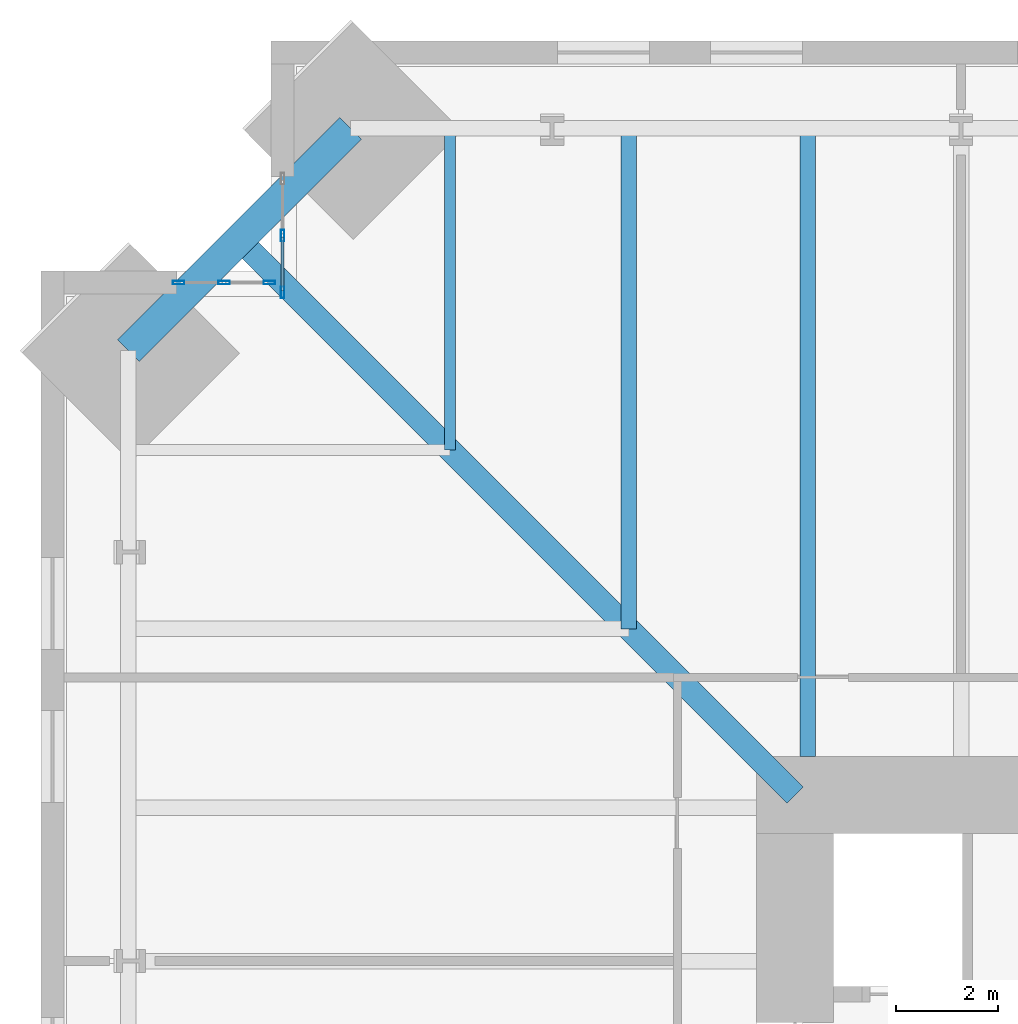
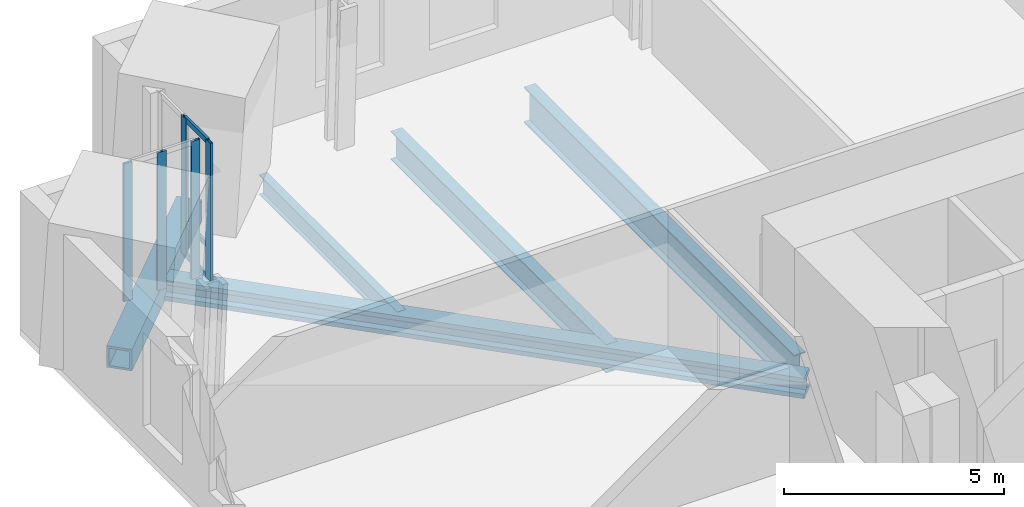
# One storey, part 6 of 18: 8 members, 5 beams, 2 elements without a shape of their own.
"""IFC4 building model written with IfcOpenShell, lengths in metres."""

from ifc_helpers import new_model, si_unit, direction, frame, origin, origin_2d, place, context, subcontext, project, spatial, hollow_rectangle, i_section, extrude, material, material_profile, profile_set, type_object, element, aggregate, save


model = new_model("IFC4")

# Units and contexts
model_context = context("Model", 3, precision=1e-05, world=origin(), true_north=direction((0.0, 1.0)))
body_context = subcontext(model_context, "Body", "Model", "MODEL_VIEW")
ifc_project = project(units=[si_unit("LENGTHUNIT", "METRE"), si_unit("AREAUNIT", "SQUARE_METRE"), si_unit("VOLUMEUNIT", "CUBIC_METRE"), si_unit("PLANEANGLEUNIT", "RADIAN"), si_unit("MASSUNIT", "GRAM", prefix="KILO")], contexts=[model_context])

# Site, building, storey
site_placement = place(None, origin())
site = spatial("IfcSite", under=ifc_project, at=site_placement, CompositionType="ELEMENT")
building_placement = place(site_placement, origin())
building = spatial("IfcBuilding", under=site, at=building_placement, Name="Peilmerk Tower", CompositionType="ELEMENT")
storey_placement = place(building_placement, frame((0.0, 0.0, 163.800048828125)))
storey = spatial("IfcBuildingStorey", under=building, at=storey_placement, Name="L34", CompositionType="ELEMENT", Elevation=163.800048828125)

# Beams
ifc_material_1 = material(Name="Steel S355", Category="steel")
ifc_material_profile_1 = material_profile(ifc_material_1, i_section(OverallWidth=0.2099609375, OverallDepth=0.550048828125, WebThickness=0.010986328125, FlangeThickness=0.01708984375, at=origin_2d()), Name="IPE 550")
ifc_profile_set_1 = profile_set([ifc_material_profile_1], Name="Steel S355")
beam_type_1 = type_object("IfcBeamType", Name="B12 IPE 550 floor beam", PredefinedType="BEAM", material=ifc_profile_set_1)
beam_1_placement = place(storey_placement, frame((-18.0, 18.0, -0.445068359375), z_axis=(0.0, 1.0, 0.0), x_axis=(-1.0, 0.0, 0.0)))
element("IfcBeam", 1, at=beam_1_placement, inside=storey, type_object=beam_type_1, Name="Floor beam L34", PredefinedType="BEAM", context=body_context, shape_type="SweptSolid", body=[
    extrude(i_section(OverallWidth=0.2099609375, OverallDepth=0.550048828125, WebThickness=0.010986328125, FlangeThickness=0.01708984375, at=origin_2d()), origin(), (0.0, 0.0, 1.0), 6.2919921875),
])
ifc_material_profile_2 = material_profile(ifc_material_1, i_section(OverallWidth=0.300048828125, OverallDepth=0.989990234375, WebThickness=0.0166015625, FlangeThickness=0.031005859375, at=origin_2d()), Name="HEA 1000")
ifc_profile_set_2 = profile_set([ifc_material_profile_2], Name="Steel S355")
beam_type_2 = type_object("IfcBeamType", Name="B14 HEA 1000 floor girder", PredefinedType="BEAM", material=ifc_profile_set_2)
beam_2_placement = place(storey_placement, frame((-11.0, 12.0, -0.6650390625), z_axis=(0.0, 1.0, 0.0), x_axis=(-1.0, 0.0, 0.0)))
element("IfcBeam", 2, at=beam_2_placement, inside=storey, type_object=beam_type_2, Name="Floor beam L34", PredefinedType="BEAM", context=body_context, shape_type="SweptSolid", body=[
    extrude(i_section(OverallWidth=0.300048828125, OverallDepth=0.989990234375, WebThickness=0.0166015625, FlangeThickness=0.031005859375, at=origin_2d()), origin(), (0.0, 0.0, 1.0), 12.2919921875),
])
ifc_material_2 = material(Name="Steel S460", Category="steel")
ifc_material_profile_3 = material_profile(ifc_material_2, hollow_rectangle(XDim=0.60009765625, YDim=0.60009765625, WallThickness=0.06005859375, at=origin_2d()), Name="BOX 600x600x60")
ifc_profile_set_3 = profile_set([ifc_material_profile_3], Name="Steel S460")
beam_type_3 = type_object("IfcBeamType", Name="B20 BOX 600x600x60 notch beam", PredefinedType="SPANDREL", material=ifc_profile_set_3)
beam_3_placement = place(storey_placement, frame((-24.2919921875, 19.94189453125, -0.469970703125), z_axis=(0.707106781187, 0.707106781187, 0.0), x_axis=(-0.707106781187, 0.707106781187, 0.0)))
element("IfcBeam", 3, at=beam_3_placement, inside=storey, type_object=beam_type_3, Name="Notch beam L34", PredefinedType="SPANDREL", context=body_context, shape_type="SweptSolid", body=[
    extrude(hollow_rectangle(XDim=0.60009765625, YDim=0.60009765625, WallThickness=0.06005859375, at=origin_2d()), origin(), (0.0, 0.0, 1.0), 6.15185546875),
])
ifc_material_profile_4 = material_profile(ifc_material_1, i_section(OverallWidth=0.300048828125, OverallDepth=0.7900390625, WebThickness=0.014892578125, FlangeThickness=0.028076171875, at=origin_2d()), Name="HEA 800")
ifc_profile_set_4 = profile_set([ifc_material_profile_4], Name="Steel S355")
beam_type_4 = type_object("IfcBeamType", Name="B3 HEA 800 floor beam", PredefinedType="BEAM", material=ifc_profile_set_4)
beam_4_placement = place(storey_placement, frame((-14.5, 14.5, -0.56494140625), z_axis=(0.0, 1.0, 0.0), x_axis=(-1.0, 0.0, 0.0)))
element("IfcBeam", 4, at=beam_4_placement, inside=storey, type_object=beam_type_4, Name="Floor beam L34", PredefinedType="BEAM", context=body_context, shape_type="SweptSolid", body=[
    extrude(i_section(OverallWidth=0.300048828125, OverallDepth=0.7900390625, WebThickness=0.014892578125, FlangeThickness=0.028076171875, at=origin_2d()), origin(), (0.0, 0.0, 1.0), 9.7919921875),
])
ifc_material_profile_5 = material_profile(ifc_material_2, i_section(OverallWidth=0.4541015625, OverallDepth=0.569091796875, WebThickness=0.077880859375, FlangeThickness=0.125, at=origin_2d()), Name="HD 400x1086")
ifc_profile_set_5 = profile_set([ifc_material_profile_5], Name="Steel S460")
beam_type_5 = type_object("IfcBeamType", Name="B9 HD 400x1086 corner girder", PredefinedType="BEAM", material=ifc_profile_set_5)
beam_5_placement = place(storey_placement, frame((-11.25, 11.25, -0.45458984375), z_axis=(-0.707106781187, 0.707106781187, 0.0), x_axis=(-0.707106781187, -0.707106781187, 0.0)))
element("IfcBeam", 5, at=beam_5_placement, inside=storey, type_object=beam_type_5, Name="Corner girder L34", PredefinedType="BEAM", context=body_context, shape_type="SweptSolid", body=[
    extrude(i_section(OverallWidth=0.4541015625, OverallDepth=0.569091796875, WebThickness=0.077880859375, FlangeThickness=0.125, at=origin_2d()), origin(), (0.0, 0.0, 1.0), 15.3681640625),
])

# Curtain wall, members
ifc_material_3 = material(Name="Aluminium stick curtain wall", Category="aluminium")
curtain_wall_type = type_object("IfcCurtainWallType", Name="CW3 stick curtain wall, 2250 module", PredefinedType="NOTDEFINED", material=ifc_material_3)
curtain_wall_1_placement = place(storey_placement, origin())
curtain_wall_1 = element("IfcCurtainWall", 6, at=curtain_wall_1_placement, inside=storey, type_object=curtain_wall_type, Name="Curtain wall CW3 NWA L34", PredefinedType="NOTDEFINED")
ifc_material_4 = material(Name="Aluminium EN AW-6063 T6", Category="aluminium")
ifc_material_profile_6 = material_profile(ifc_material_4, hollow_rectangle(XDim=0.06494140625, YDim=0.22509765625, WallThickness=0.00390625, at=origin_2d()), Name="AL 225x65x4")
ifc_profile_set_6 = profile_set([ifc_material_profile_6], Name="Aluminium EN AW-6063 T6")
member_type_1 = type_object("IfcMemberType", Name="CW3-M AL 225x65x4 mullion", PredefinedType="MULLION", material=ifc_profile_set_6)
member_1_placement = place(storey_placement, frame((-21.27490234375, 21.08251953125, 0.0), z_axis=(0.0, 0.0, 1.0), x_axis=(-1.0, 0.0, 0.0)))
member_1 = element("IfcMember", 7, at=member_1_placement, type_object=member_type_1, Name="CW3 mullion 1", PredefinedType="MULLION", context=body_context, shape_type="SweptSolid", body=[
    extrude(hollow_rectangle(XDim=0.06494140625, YDim=0.22509765625, WallThickness=0.00390625, at=origin_2d()), origin(), (0.0, 0.0, 1.0), 3.829833984375),
])
member_2_placement = place(storey_placement, frame((-21.27490234375, 22.1943359375, 0.0), z_axis=(0.0, 0.0, 1.0), x_axis=(-1.0, 0.0, 0.0)))
member_2 = element("IfcMember", 8, at=member_2_placement, type_object=member_type_1, Name="CW3 mullion 2", PredefinedType="MULLION", context=body_context, shape_type="SweptSolid", body=[
    extrude(hollow_rectangle(XDim=0.06494140625, YDim=0.22509765625, WallThickness=0.00390625, at=origin_2d()), origin(), (0.0, 0.0, 1.0), 3.829833984375),
])

curtain_wall_2_placement = place(storey_placement, origin())
curtain_wall_2 = element("IfcCurtainWall", 9, at=curtain_wall_2_placement, inside=storey, type_object=curtain_wall_type, Name="Curtain wall CW3 NWB L34", PredefinedType="NOTDEFINED")
member_3_placement = place(storey_placement, frame((-21.532470703125, 21.27490234375, 0.0), z_axis=(0.0, 0.0, 1.0), x_axis=(0.0, -1.0, 0.0)))
member_3 = element("IfcMember", 10, at=member_3_placement, type_object=member_type_1, Name="CW3 mullion 1", PredefinedType="MULLION", context=body_context, shape_type="SweptSolid", body=[
    extrude(hollow_rectangle(XDim=0.06494140625, YDim=0.22509765625, WallThickness=0.00390625, at=origin_2d()), origin(), (0.0, 0.0, 1.0), 3.829833984375),
])
member_4_placement = place(storey_placement, frame((-22.41943359375, 21.27490234375, 0.0), z_axis=(0.0, 0.0, 1.0), x_axis=(0.0, -1.0, 0.0)))
member_4 = element("IfcMember", 11, at=member_4_placement, type_object=member_type_1, Name="CW3 mullion 2", PredefinedType="MULLION", context=body_context, shape_type="SweptSolid", body=[
    extrude(hollow_rectangle(XDim=0.06494140625, YDim=0.22509765625, WallThickness=0.00390625, at=origin_2d()), origin(), (0.0, 0.0, 1.0), 3.829833984375),
])
member_5_placement = place(storey_placement, frame((-23.30615234375, 21.27490234375, 0.0), z_axis=(0.0, 0.0, 1.0), x_axis=(0.0, -1.0, 0.0)))
member_5 = element("IfcMember", 12, at=member_5_placement, type_object=member_type_1, Name="CW3 mullion 3", PredefinedType="MULLION", context=body_context, shape_type="SweptSolid", body=[
    extrude(hollow_rectangle(XDim=0.06494140625, YDim=0.22509765625, WallThickness=0.00390625, at=origin_2d()), origin(), (0.0, 0.0, 1.0), 3.829833984375),
])
aggregate(curtain_wall_2, [member_3, member_4, member_5])

# Member
ifc_material_profile_7 = material_profile(ifc_material_4, hollow_rectangle(XDim=0.06494140625, YDim=0.14990234375, WallThickness=0.0029296875, at=origin_2d()), Name="AL 150x65x3")
ifc_profile_set_7 = profile_set([ifc_material_profile_7], Name="Aluminium EN AW-6063 T6")
member_type_2 = type_object("IfcMemberType", Name="CW3-T AL 150x65x3 transom", PredefinedType="USERDEFINED", material=ifc_profile_set_7)
member_6_placement = place(storey_placement, frame((-21.27490234375, 21.114990234375, 0.032470703125), z_axis=(0.0, 1.0, 0.0), x_axis=(-1.0, 0.0, 0.0)))
member_6 = element("IfcMember", 13, at=member_6_placement, type_object=member_type_2, Name="CW3 transom 1.1", ObjectType="TRANSOM", PredefinedType="USERDEFINED", context=body_context, shape_type="SweptSolid", body=[
    extrude(hollow_rectangle(XDim=0.06494140625, YDim=0.14990234375, WallThickness=0.0029296875, at=origin_2d()), origin(), (0.0, 0.0, 1.0), 1.046875),
])

member_7_placement = place(storey_placement, frame((-21.27490234375, 21.114990234375, 0.89990234375), z_axis=(0.0, 1.0, 0.0), x_axis=(-1.0, 0.0, 0.0)))
member_7 = element("IfcMember", 14, at=member_7_placement, type_object=member_type_2, Name="CW3 transom 1.2", ObjectType="TRANSOM", PredefinedType="USERDEFINED", context=body_context, shape_type="SweptSolid", body=[
    extrude(hollow_rectangle(XDim=0.06494140625, YDim=0.14990234375, WallThickness=0.0029296875, at=origin_2d()), origin(), (0.0, 0.0, 1.0), 1.046875),
])

member_8_placement = place(storey_placement, frame((-21.27490234375, 21.114990234375, 3.79736328125), z_axis=(0.0, 1.0, 0.0), x_axis=(-1.0, 0.0, 0.0)))
member_8 = element("IfcMember", 15, at=member_8_placement, type_object=member_type_2, Name="CW3 transom 1.3", ObjectType="TRANSOM", PredefinedType="USERDEFINED", context=body_context, shape_type="SweptSolid", body=[
    extrude(hollow_rectangle(XDim=0.06494140625, YDim=0.14990234375, WallThickness=0.0029296875, at=origin_2d()), origin(), (0.0, 0.0, 1.0), 1.046875),
])

aggregate(curtain_wall_1, [member_1, member_2, member_6, member_7, member_8])

save(model, "model.ifc")
